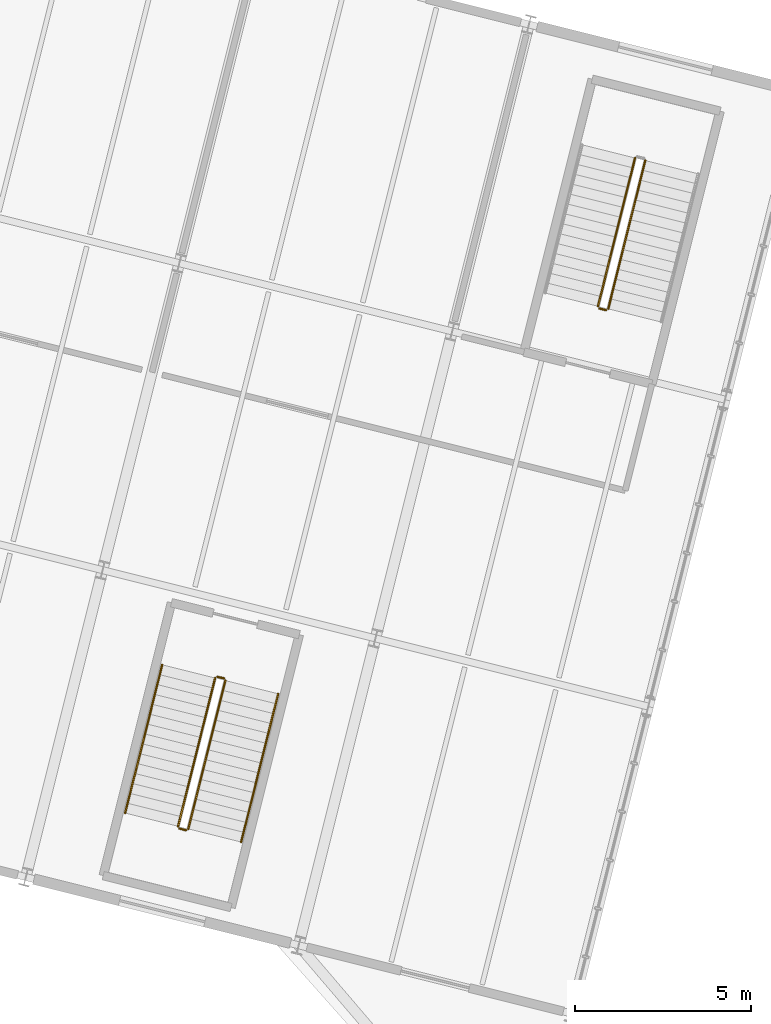
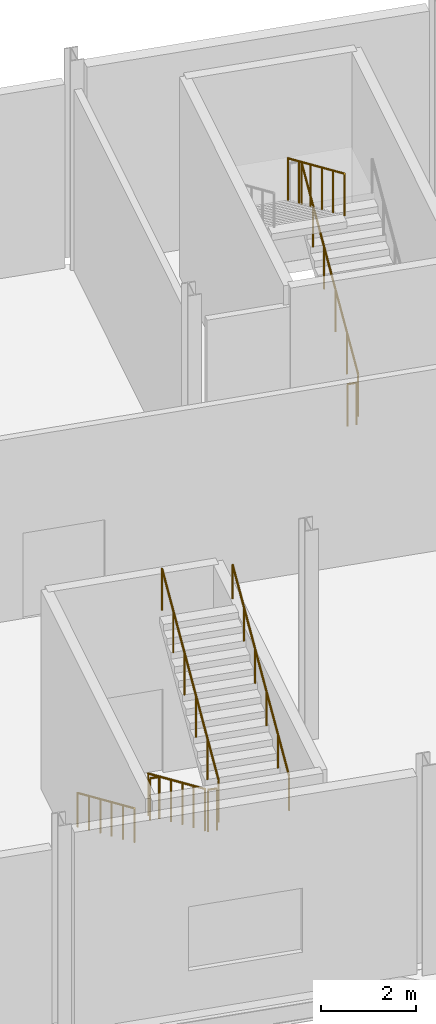
# One storey, part 155 of 158: 9 railings.
"""IFC4 building model written with IfcOpenShell, lengths in metres."""

from ifc_helpers import new_model, si_unit, derived_unit, direction, frame, origin, origin_2d, place, context, subcontext, project, spatial, circle, extrude, material, type_object, element, save


model = new_model("IFC4")

# Units and contexts
model_context = context("Model", 3, precision=1e-05, world=origin(), true_north=direction((0.0, 1.0)))
body_context = subcontext(model_context, "Body", "Model", "MODEL_VIEW")
ifc_project = project(units=[si_unit("LENGTHUNIT", "METRE"), si_unit("AREAUNIT", "SQUARE_METRE"), si_unit("VOLUMEUNIT", "CUBIC_METRE"), si_unit("PLANEANGLEUNIT", "RADIAN"), si_unit("MASSUNIT", "GRAM", prefix="KILO"), si_unit("THERMODYNAMICTEMPERATUREUNIT", "KELVIN"), si_unit("TIMEUNIT", "SECOND"), derived_unit("THERMALTRANSMITTANCEUNIT", [(si_unit("MASSUNIT", "GRAM", prefix="KILO"), 1), (si_unit("THERMODYNAMICTEMPERATUREUNIT", "KELVIN"), -1), (si_unit("TIMEUNIT", "SECOND"), -3)])], contexts=[model_context])

# Site, building, storey
site_placement = place(None, origin())
site = spatial("IfcSite", under=ifc_project, at=site_placement, CompositionType="ELEMENT")
building_placement = place(site_placement, origin())
building = spatial("IfcBuilding", under=site, at=building_placement, Name="Cambertide Market Hall", CompositionType="ELEMENT")
storey_placement = place(building_placement, origin())
storey = spatial("IfcBuildingStorey", under=building, at=storey_placement, Name="L01", CompositionType="ELEMENT", Elevation=0.0)

# Railings
ifc_material_1 = material(Name="Stainless Steel Grade 316", Category="metal")
railing_type_1 = type_object("IfcRailingType", Name="Stair Wall Handrail 900", PredefinedType="HANDRAIL", material=ifc_material_1)
railing_1_placement = place(storey_placement, frame((158.447509765625, 94.3974609375, 0.168701171875)))
element("IfcRailing", 1, at=railing_1_placement, inside=storey, type_object=railing_type_1, Name="Level 1 ST-08A stair handrail 1", PredefinedType="HANDRAIL", context=body_context, shape_type="SweptSolid", body=[
    extrude(circle(Radius=0.02392578125, at=origin_2d()), frame((0.0, 0.0, 0.8759765625), z_axis=(-0.209652504363, -0.838513001022, 0.50293317104), x_axis=(0.970135897123, -0.242562035599, 0.0)), (0.0, 0.0, 1.0), 5.032958984375),
    extrude(circle(Radius=0.02099609375, at=origin_2d()), origin(), (0.0, 0.0, 1.0), 0.851806640625),
    extrude(circle(Radius=0.02099609375, at=origin_2d()), frame((-0.2109375, -0.843994140625, 0.50634765625)), (0.0, 0.0, 1.0), 0.851806640625),
    extrude(circle(Radius=0.02099609375, at=origin_2d()), frame((-0.422119140625, -1.68798828125, 1.012451171875)), (0.0, 0.0, 1.0), 0.851806640625),
    extrude(circle(Radius=0.02099609375, at=origin_2d()), frame((-0.633056640625, -2.5322265625, 1.518798828125)), (0.0, 0.0, 1.0), 0.851806640625),
    extrude(circle(Radius=0.02099609375, at=origin_2d()), frame((-0.84423828125, -3.376220703125, 2.02490234375)), (0.0, 0.0, 1.0), 0.851806640625),
    extrude(circle(Radius=0.02099609375, at=origin_2d()), frame((-1.05517578125, -4.22021484375, 2.53125)), (0.0, 0.0, 1.0), 0.851806640625),
])
railing_2_placement = place(storey_placement, frame((160.69091796875, 89.352783203125, 2.86865234375)))
element("IfcRailing", 2, at=railing_2_placement, inside=storey, type_object=railing_type_1, Name="Level 1 ST-08A stair handrail 2", PredefinedType="HANDRAIL", context=body_context, shape_type="SweptSolid", body=[
    extrude(circle(Radius=0.02392578125, at=origin_2d()), frame((0.0, 0.0, 0.8759765625), z_axis=(0.209614653707, 0.838507125508, 0.502958743261), x_axis=(-0.970145801612, 0.242522418789, 0.0)), (0.0, 0.0, 1.0), 5.03271484375),
    extrude(circle(Radius=0.02099609375, at=origin_2d()), origin(), (0.0, 0.0, 1.0), 0.851806640625),
    extrude(circle(Radius=0.02099609375, at=origin_2d()), frame((0.2109375, 0.843994140625, 0.50634765625)), (0.0, 0.0, 1.0), 0.851806640625),
    extrude(circle(Radius=0.02099609375, at=origin_2d()), frame((0.421875, 1.68798828125, 1.012451171875)), (0.0, 0.0, 1.0), 0.851806640625),
    extrude(circle(Radius=0.02099609375, at=origin_2d()), frame((0.633056640625, 2.531982421875, 1.518798828125)), (0.0, 0.0, 1.0), 0.851806640625),
    extrude(circle(Radius=0.02099609375, at=origin_2d()), frame((0.843994140625, 3.3759765625, 2.02490234375)), (0.0, 0.0, 1.0), 0.851806640625),
    extrude(circle(Radius=0.02099609375, at=origin_2d()), frame((1.054931640625, 4.219970703125, 2.53125)), (0.0, 0.0, 1.0), 0.851806640625),
])
ifc_material_2 = material(Name="Stainless Steel Grade 316", Category="metal")
railing_type_2 = type_object("IfcRailingType", Name="Stairwell Inner Guardrail 1100", PredefinedType="GUARDRAIL", material=ifc_material_2)
railing_3_placement = place(storey_placement, frame((159.951171875, 94.021484375, 0.168701171875)))
element("IfcRailing", 3, at=railing_3_placement, inside=storey, type_object=railing_type_2, Name="Level 1 ST-08A stair guard 1", PredefinedType="GUARDRAIL", context=body_context, shape_type="SweptSolid", body=[
    extrude(circle(Radius=0.02392578125, at=origin_2d()), frame((0.0, 0.0, 1.076171875), z_axis=(-0.209652504363, -0.838513001022, 0.50293317104), x_axis=(0.970135897123, -0.242562035599, 0.0)), (0.0, 0.0, 1.0), 5.032958984375),
    extrude(circle(Radius=0.02099609375, at=origin_2d()), origin(), (0.0, 0.0, 1.0), 1.052001953125),
    extrude(circle(Radius=0.02099609375, at=origin_2d()), frame((-0.2109375, -0.843994140625, 0.50634765625)), (0.0, 0.0, 1.0), 1.052001953125),
    extrude(circle(Radius=0.02099609375, at=origin_2d()), frame((-0.422119140625, -1.68798828125, 1.012451171875)), (0.0, 0.0, 1.0), 1.052001953125),
    extrude(circle(Radius=0.02099609375, at=origin_2d()), frame((-0.633056640625, -2.5322265625, 1.518798828125)), (0.0, 0.0, 1.0), 1.052001953125),
    extrude(circle(Radius=0.02099609375, at=origin_2d()), frame((-0.84423828125, -3.376220703125, 2.02490234375)), (0.0, 0.0, 1.0), 1.052001953125),
    extrude(circle(Radius=0.02099609375, at=origin_2d()), frame((-1.05517578125, -4.22021484375, 2.53125)), (0.0, 0.0, 1.0), 1.052001953125),
])
railing_4_placement = place(storey_placement, frame((158.932373046875, 89.74072265625, 2.699951171875)))
element("IfcRailing", 4, at=railing_4_placement, inside=storey, type_object=railing_type_2, Name="Level 1 ST-08A stair guard 2", PredefinedType="GUARDRAIL", context=body_context, shape_type="SweptSolid", body=[
    extrude(circle(Radius=0.02392578125, at=origin_2d()), frame((0.0, 0.0, 1.076171875), z_axis=(0.970070680326, -0.242822723755, 0.0), x_axis=(0.242822723755, 0.970070680326, 0.0)), (0.0, 0.0, 1.0), 0.2001953125),
    extrude(circle(Radius=0.02099609375, at=origin_2d()), origin(), (0.0, 0.0, 1.0), 1.052001953125),
    extrude(circle(Radius=0.02099609375, at=origin_2d()), frame((0.194091796875, -0.048583984375, 0.0)), (0.0, 0.0, 1.0), 1.052001953125),
])
railing_5_placement = place(storey_placement, frame((159.187255859375, 89.728515625, 2.86865234375)))
element("IfcRailing", 5, at=railing_5_placement, inside=storey, type_object=railing_type_2, Name="Level 1 ST-08A stair guard 3", PredefinedType="GUARDRAIL", context=body_context, shape_type="SweptSolid", body=[
    extrude(circle(Radius=0.02392578125, at=origin_2d()), frame((0.0, 0.0, 1.076171875), z_axis=(0.209606127579, 0.838521527732, 0.50293828529), x_axis=(-0.970149102539, 0.242509213934, 0.0)), (0.0, 0.0, 1.0), 5.032958984375),
    extrude(circle(Radius=0.02099609375, at=origin_2d()), origin(), (0.0, 0.0, 1.0), 1.052001953125),
    extrude(circle(Radius=0.02099609375, at=origin_2d()), frame((0.2109375, 0.843994140625, 0.50634765625)), (0.0, 0.0, 1.0), 1.052001953125),
    extrude(circle(Radius=0.02099609375, at=origin_2d()), frame((0.421875, 1.68798828125, 1.012451171875)), (0.0, 0.0, 1.0), 1.052001953125),
    extrude(circle(Radius=0.02099609375, at=origin_2d()), frame((0.633056640625, 2.5322265625, 1.518798828125)), (0.0, 0.0, 1.0), 1.052001953125),
    extrude(circle(Radius=0.02099609375, at=origin_2d()), frame((0.843994140625, 3.376220703125, 2.02490234375)), (0.0, 0.0, 1.0), 1.052001953125),
    extrude(circle(Radius=0.02099609375, at=origin_2d()), frame((1.054931640625, 4.22021484375, 2.53125)), (0.0, 0.0, 1.0), 1.052001953125),
])
railing_6_placement = place(storey_placement, frame((160.01171875, 94.057861328125, 0.0)))
element("IfcRailing", 6, at=railing_6_placement, inside=storey, type_object=railing_type_2, Name="Level 1 ST-08A stair guard 4", PredefinedType="GUARDRAIL", context=body_context, shape_type="SweptSolid", body=[
    extrude(circle(Radius=0.02392578125, at=origin_2d()), frame((0.0, 0.0, 1.076171875), z_axis=(0.970070680326, -0.242822723755, 0.0), x_axis=(0.242822723755, 0.970070680326, 0.0)), (0.0, 0.0, 1.0), 0.2001953125),
    extrude(circle(Radius=0.02099609375, at=origin_2d()), origin(), (0.0, 0.0, 1.0), 1.052001953125),
    extrude(circle(Radius=0.02099609375, at=origin_2d()), frame((0.194091796875, -0.048583984375, 0.0)), (0.0, 0.0, 1.0), 1.052001953125),
])
railing_7_placement = place(storey_placement, frame((171.132080078125, 104.523193359375, 0.168701171875)))
element("IfcRailing", 7, at=railing_7_placement, inside=storey, type_object=railing_type_2, Name="Level 1 ST-08B stair guard 1", PredefinedType="GUARDRAIL", context=body_context, shape_type="SweptSolid", body=[
    extrude(circle(Radius=0.02392578125, at=origin_2d()), frame((0.0, 0.0, 1.076171875), z_axis=(0.209606127579, 0.838521527732, 0.50293828529), x_axis=(-0.970149102539, 0.242509213934, 0.0)), (0.0, 0.0, 1.0), 5.032958984375),
    extrude(circle(Radius=0.02099609375, at=origin_2d()), origin(), (0.0, 0.0, 1.0), 1.052001953125),
    extrude(circle(Radius=0.02099609375, at=origin_2d()), frame((0.2109375, 0.843994140625, 0.50634765625)), (0.0, 0.0, 1.0), 1.052001953125),
    extrude(circle(Radius=0.02099609375, at=origin_2d()), frame((0.421875, 1.68798828125, 1.012451171875)), (0.0, 0.0, 1.0), 1.052001953125),
    extrude(circle(Radius=0.02099609375, at=origin_2d()), frame((0.633056640625, 2.5322265625, 1.518798828125)), (0.0, 0.0, 1.0), 1.052001953125),
    extrude(circle(Radius=0.02099609375, at=origin_2d()), frame((0.843994140625, 3.376220703125, 2.02490234375)), (0.0, 0.0, 1.0), 1.052001953125),
    extrude(circle(Radius=0.02099609375, at=origin_2d()), frame((1.054931640625, 4.22021484375, 2.53125)), (0.0, 0.0, 1.0), 1.052001953125),
])
railing_8_placement = place(storey_placement, frame((171.89599609375, 108.816162109375, 2.86865234375)))
element("IfcRailing", 8, at=railing_8_placement, inside=storey, type_object=railing_type_2, Name="Level 1 ST-08B stair guard 3", PredefinedType="GUARDRAIL", context=body_context, shape_type="SweptSolid", body=[
    extrude(circle(Radius=0.02392578125, at=origin_2d()), frame((0.0, 0.0, 1.076171875), z_axis=(-0.209606127579, -0.838521527732, 0.50293828529), x_axis=(0.970149102539, -0.242509213934, 0.0)), (0.0, 0.0, 1.0), 5.032958984375),
    extrude(circle(Radius=0.02099609375, at=origin_2d()), origin(), (0.0, 0.0, 1.0), 1.052001953125),
    extrude(circle(Radius=0.02099609375, at=origin_2d()), frame((-0.2109375, -0.843994140625, 0.50634765625)), (0.0, 0.0, 1.0), 1.052001953125),
    extrude(circle(Radius=0.02099609375, at=origin_2d()), frame((-0.421875, -1.68798828125, 1.012451171875)), (0.0, 0.0, 1.0), 1.052001953125),
    extrude(circle(Radius=0.02099609375, at=origin_2d()), frame((-0.633056640625, -2.5322265625, 1.518798828125)), (0.0, 0.0, 1.0), 1.052001953125),
    extrude(circle(Radius=0.02099609375, at=origin_2d()), frame((-0.843994140625, -3.376220703125, 2.02490234375)), (0.0, 0.0, 1.0), 1.052001953125),
    extrude(circle(Radius=0.02099609375, at=origin_2d()), frame((-1.054931640625, -4.22021484375, 2.53125)), (0.0, 0.0, 1.0), 1.052001953125),
])
railing_9_placement = place(storey_placement, frame((171.0712890625, 104.48681640625, 0.0)))
element("IfcRailing", 9, at=railing_9_placement, inside=storey, type_object=railing_type_2, Name="Level 1 ST-08B stair guard 4", PredefinedType="GUARDRAIL", context=body_context, shape_type="SweptSolid", body=[
    extrude(circle(Radius=0.02392578125, at=origin_2d()), frame((0.0, 0.0, 1.076171875), z_axis=(-0.969998605015, 0.24311048161, 0.0), x_axis=(-0.24311048161, -0.969998605015, 0.0)), (0.0, 0.0, 1.0), 0.199951171875),
    extrude(circle(Radius=0.02099609375, at=origin_2d()), origin(), (0.0, 0.0, 1.0), 1.052001953125),
    extrude(circle(Radius=0.02099609375, at=origin_2d()), frame((-0.19384765625, 0.048583984375, 0.0)), (0.0, 0.0, 1.0), 1.052001953125),
])

save(model, "model.ifc")
